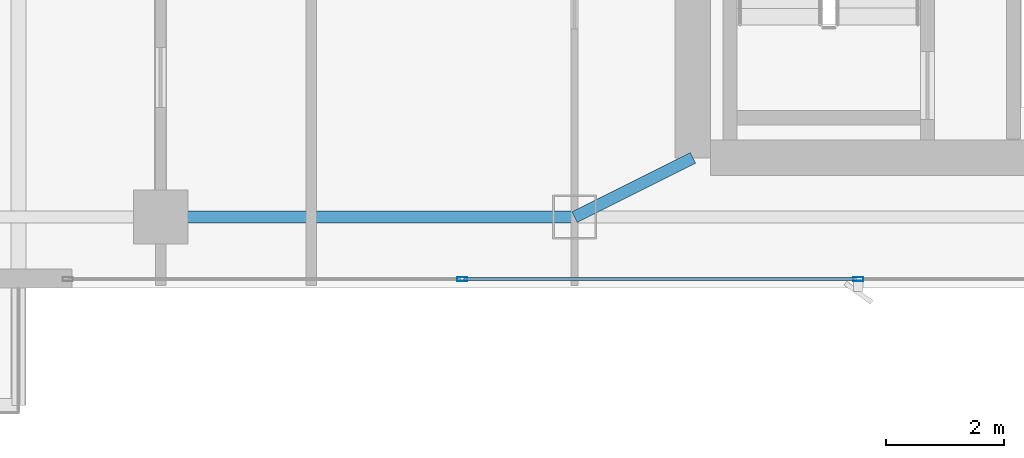
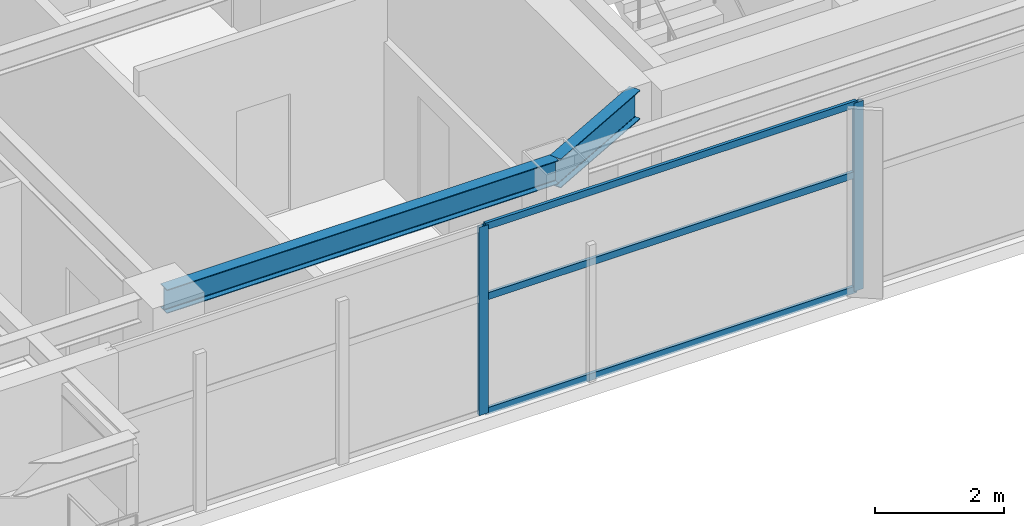
# One storey, part 7 of 27: 5 members, 2 beams, 1 element without a shape of its own.
"""IFC4 building model written with IfcOpenShell, lengths in metres."""

from ifc_helpers import new_model, si_unit, direction, frame, origin, origin_2d, place, context, subcontext, project, spatial, hollow_rectangle, i_section, extrude, material, layer, layer_set, material_profile, profile_set, type_object, element, aggregate, save


model = new_model("IFC4")

# Units and contexts
model_context = context("Model", 3, precision=1e-05, world=origin(), true_north=direction((0.0, 1.0)))
body_context = subcontext(model_context, "Body", "Model", "MODEL_VIEW")
ifc_project = project(units=[si_unit("LENGTHUNIT", "METRE"), si_unit("AREAUNIT", "SQUARE_METRE"), si_unit("VOLUMEUNIT", "CUBIC_METRE"), si_unit("PLANEANGLEUNIT", "RADIAN"), si_unit("MASSUNIT", "GRAM", prefix="KILO")], contexts=[model_context])

# Site, building, storey
site_placement = place(None, origin())
site = spatial("IfcSite", under=ifc_project, at=site_placement, CompositionType="ELEMENT")
building_placement = place(site_placement, origin())
building = spatial("IfcBuilding", under=site, at=building_placement, Name="Calvorn Quay Hotel", CompositionType="ELEMENT")
storey_placement = place(building_placement, frame((0.0, 0.0, 294.89990234375)))
storey = spatial("IfcBuildingStorey", under=building, at=storey_placement, Name="L73", CompositionType="ELEMENT", Elevation=294.89990234375)

# Beams
ifc_material_1 = material(Name="Steel Q355B", Category="steel")
ifc_material_profile_1 = material_profile(ifc_material_1, i_section(OverallWidth=0.199951171875, OverallDepth=0.550048828125, WebThickness=0.010009765625, FlangeThickness=0.01611328125, FilletRadius=0.01806640625, at=origin_2d()), Name="HN550x200x10x16")
ifc_profile_set_1 = profile_set([ifc_material_profile_1], Name="Steel Q355B")
beam_type_1 = type_object("IfcBeamType", Name="BM-GIRD-UPP", PredefinedType="BEAM", material=ifc_profile_set_1)
beam_1_placement = place(storey_placement, frame((19.60009765625, 3.60009765625, 3.26513671875), z_axis=(0.894427191, 0.4472135955, 0.0), x_axis=(-0.4472135955, 0.894427191, 0.0)))
element("IfcBeam", 1, at=beam_1_placement, inside=storey, type_object=beam_type_1, Name="Beam BG-L73-S2", PredefinedType="BEAM", context=body_context, shape_type="SweptSolid", body=[
    extrude(i_section(OverallWidth=0.199951171875, OverallDepth=0.550048828125, WebThickness=0.010009765625, FlangeThickness=0.01611328125, FilletRadius=0.01806640625, at=origin_2d()), origin(), (0.0, 0.0, 1.0), 2.236083984375),
])
ifc_material_2 = material(Name="Steel Q355B", Category="steel")
ifc_material_profile_2 = material_profile(ifc_material_2, i_section(OverallWidth=0.199951171875, OverallDepth=0.449951171875, WebThickness=0.009033203125, FlangeThickness=0.013916015625, FilletRadius=0.01611328125, at=origin_2d()), Name="HN450x200x9x14")
ifc_profile_set_2 = profile_set([ifc_material_profile_2], Name="Steel Q355B")
beam_type_2 = type_object("IfcBeamType", Name="BM-SPANDREL-Z3", PredefinedType="SPANDREL", material=ifc_profile_set_2)
beam_2_placement = place(storey_placement, frame((12.60009765625, 3.60009765625, 3.315185546875), z_axis=(1.0, 0.0, 0.0), x_axis=(0.0, 1.0, 0.0)))
element("IfcBeam", 2, at=beam_2_placement, inside=storey, type_object=beam_type_2, Name="Beam BSP-L73-S2", PredefinedType="SPANDREL", context=body_context, shape_type="SweptSolid", body=[
    extrude(i_section(OverallWidth=0.199951171875, OverallDepth=0.449951171875, WebThickness=0.009033203125, FlangeThickness=0.013916015625, FilletRadius=0.01611328125, at=origin_2d()), origin(), (0.0, 0.0, 1.0), 7.0),
])

# Curtain wall, members
ifc_material_3 = material(Name="Champagne Bronze Anodised Aluminium and Low-E Glass", Category="aluminium")
ifc_layer = layer(ifc_material_3, 0.219970703125)
ifc_layer_set = layer_set([ifc_layer], Name="CW-SYS-Z4")
curtain_wall_type = type_object("IfcCurtainWallType", Name="CW-SYS-Z4", PredefinedType="NOTDEFINED", material=ifc_layer_set)
curtain_wall_placement = place(storey_placement, origin())
curtain_wall = element("IfcCurtainWall", 3, at=curtain_wall_placement, inside=storey, type_object=curtain_wall_type, Name="Tower South Waterfront Curtain Wall (L73)", PredefinedType="NOTDEFINED")
ifc_material_4 = material(Name="Champagne Bronze Anodised Aluminium 6063-T6", Category="aluminium")
ifc_material_profile_3 = material_profile(ifc_material_4, hollow_rectangle(XDim=0.06494140625, YDim=0.169921875, WallThickness=0.00341796875, at=origin_2d()), Name="ALU-M170x65x3.5")
ifc_profile_set_3 = profile_set([ifc_material_profile_3], Name="Champagne Bronze Anodised Aluminium 6063-T6")
member_type_1 = type_object("IfcMemberType", Name="CW-SYS-Z4-MUL", PredefinedType="MULLION", material=ifc_profile_set_3)
member_1_placement = place(storey_placement, frame((17.699951171875, 2.550048828125, 0.0), z_axis=(0.0, 0.0, 1.0), x_axis=(0.0, 1.0, 0.0)))
member_1 = element("IfcMember", 4, at=member_1_placement, type_object=member_type_1, Name="CW-L73-S mullion 2", PredefinedType="MULLION", context=body_context, shape_type="SweptSolid", body=[
    extrude(hollow_rectangle(XDim=0.06494140625, YDim=0.169921875, WallThickness=0.00341796875, at=origin_2d()), origin(), (0.0, 0.0, 1.0), 3.56005859375),
])
member_2_placement = place(storey_placement, frame((24.39990234375, 2.550048828125, 0.0), z_axis=(0.0, 0.0, 1.0), x_axis=(0.0, 1.0, 0.0)))
member_2 = element("IfcMember", 5, at=member_2_placement, type_object=member_type_1, Name="CW-L73-S mullion 3", PredefinedType="MULLION", context=body_context, shape_type="SweptSolid", body=[
    extrude(hollow_rectangle(XDim=0.06494140625, YDim=0.169921875, WallThickness=0.00341796875, at=origin_2d()), origin(), (0.0, 0.0, 1.0), 3.56005859375),
])
ifc_material_5 = material(Name="Champagne Bronze Anodised Aluminium 6063-T6", Category="aluminium")
ifc_material_profile_4 = material_profile(ifc_material_5, hollow_rectangle(XDim=0.054931640625, YDim=0.1298828125, WallThickness=0.003173828125, at=origin_2d()), Name="ALU-T130x55x3.2")
ifc_profile_set_4 = profile_set([ifc_material_profile_4], Name="Champagne Bronze Anodised Aluminium 6063-T6")
member_type_2 = type_object("IfcMemberType", Name="CW-SYS-Z4-TRN", PredefinedType="USERDEFINED", material=ifc_profile_set_4)
member_3_placement = place(storey_placement, frame((17.72998046875, 2.550048828125, 0.030029296875), z_axis=(1.0, 0.0, 0.0), x_axis=(0.0, 1.0, 0.0)))
member_3 = element("IfcMember", 6, at=member_3_placement, type_object=member_type_2, Name="CW-L73-S transom 2.1", ObjectType="TRANSOM", PredefinedType="USERDEFINED", context=body_context, shape_type="SweptSolid", body=[
    extrude(hollow_rectangle(XDim=0.054931640625, YDim=0.1298828125, WallThickness=0.003173828125, at=origin_2d()), origin(), (0.0, 0.0, 1.0), 6.64013671875),
])
member_4_placement = place(storey_placement, frame((17.72998046875, 2.550048828125, 2.2001953125), z_axis=(1.0, 0.0, 0.0), x_axis=(0.0, 1.0, 0.0)))
member_4 = element("IfcMember", 7, at=member_4_placement, type_object=member_type_2, Name="CW-L73-S transom 2.2", ObjectType="TRANSOM", PredefinedType="USERDEFINED", context=body_context, shape_type="SweptSolid", body=[
    extrude(hollow_rectangle(XDim=0.054931640625, YDim=0.1298828125, WallThickness=0.003173828125, at=origin_2d()), origin(), (0.0, 0.0, 1.0), 6.64013671875),
])
member_5_placement = place(storey_placement, frame((17.72998046875, 2.550048828125, 3.530029296875), z_axis=(1.0, 0.0, 0.0), x_axis=(0.0, 1.0, 0.0)))
member_5 = element("IfcMember", 8, at=member_5_placement, type_object=member_type_2, Name="CW-L73-S transom 2.3", ObjectType="TRANSOM", PredefinedType="USERDEFINED", context=body_context, shape_type="SweptSolid", body=[
    extrude(hollow_rectangle(XDim=0.054931640625, YDim=0.1298828125, WallThickness=0.003173828125, at=origin_2d()), origin(), (0.0, 0.0, 1.0), 6.64013671875),
])
aggregate(curtain_wall, [member_1, member_2, member_3, member_4, member_5])

save(model, "model.ifc")
